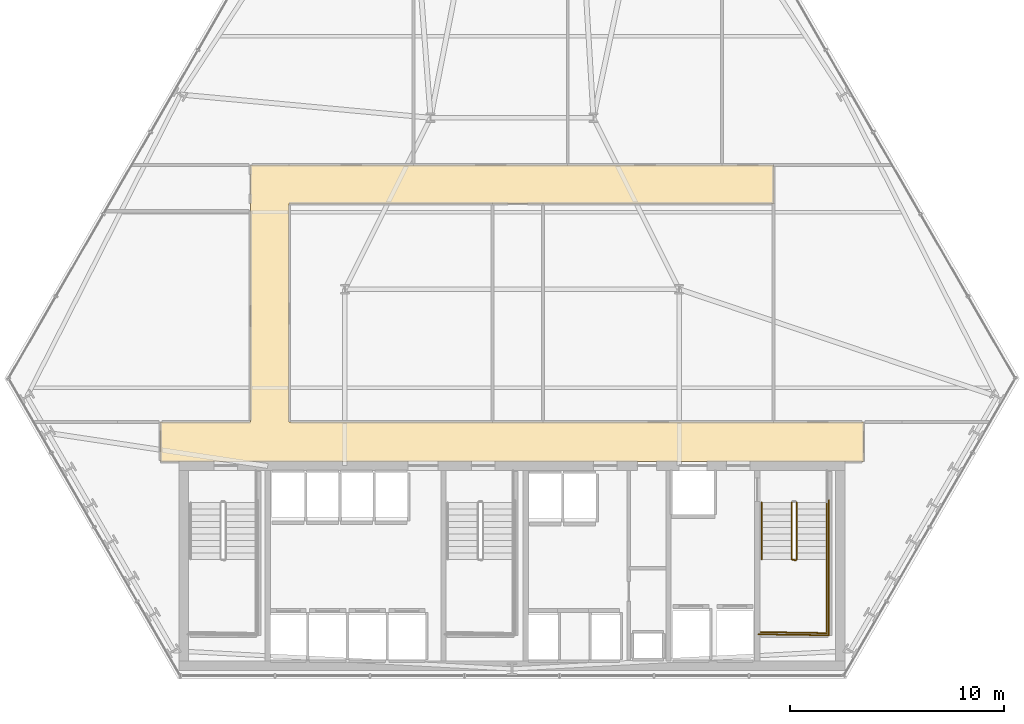
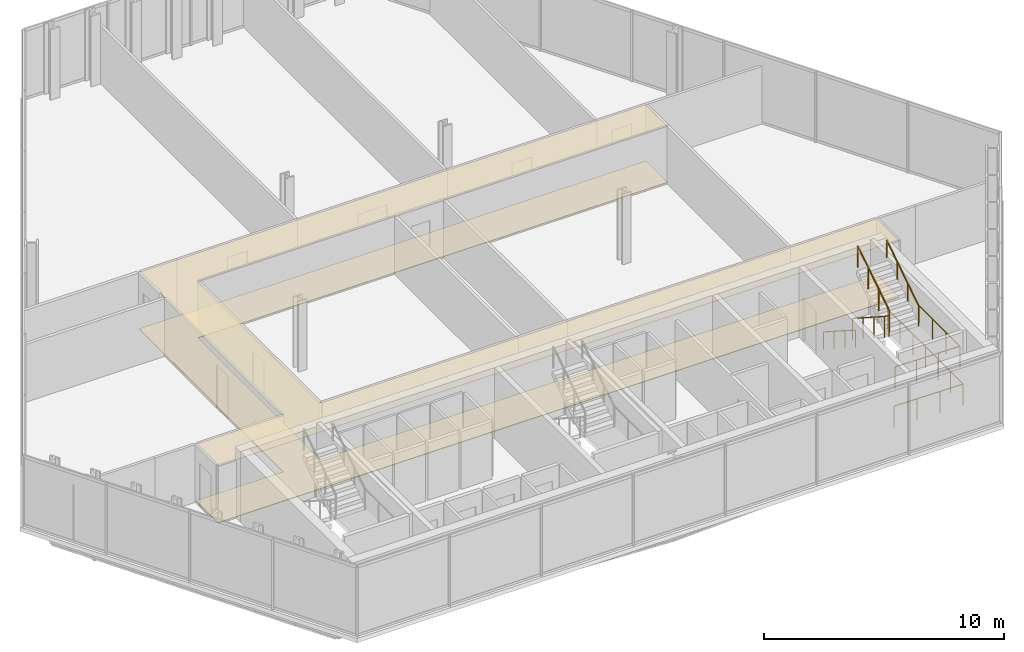
# One storey, part 31 of 32: 6 railings, 2 coverings.
"""IFC4 building model written with IfcOpenShell, lengths in metres."""

from ifc_helpers import new_model, si_unit, direction, frame, origin, origin_2d, place, context, subcontext, project, spatial, polyline, circle, outline, extrude, material, layer, layer_set, type_object, element, save


model = new_model("IFC4")

# Units and contexts
model_context = context("Model", 3, precision=1e-05, world=origin(), true_north=direction((0.0, 1.0)))
body_context = subcontext(model_context, "Body", "Model", "MODEL_VIEW")
ifc_project = project(units=[si_unit("LENGTHUNIT", "METRE"), si_unit("AREAUNIT", "SQUARE_METRE"), si_unit("VOLUMEUNIT", "CUBIC_METRE"), si_unit("PLANEANGLEUNIT", "RADIAN"), si_unit("MASSUNIT", "GRAM", prefix="KILO")], contexts=[model_context])

# Site, building, storey
site_placement = place(None, origin())
site = spatial("IfcSite", under=ifc_project, at=site_placement, CompositionType="ELEMENT")
building_placement = place(site_placement, origin())
building = spatial("IfcBuilding", under=site, at=building_placement, Name="Ndaravel Arena Tower", CompositionType="ELEMENT")
storey_placement = place(building_placement, frame((0.0, 0.0, 51.199951171875)))
storey = spatial("IfcBuildingStorey", under=building, at=storey_placement, Name="L10", CompositionType="ELEMENT", Elevation=51.199951171875)

# Coverings
ifc_material_1 = material(Name="Acoustic Ceiling Tile", Category="finish")
ifc_layer_1 = layer(ifc_material_1, 0.02490234375)
ifc_layer_set_1 = layer_set([ifc_layer_1], Name="Acoustic Ceiling Tile")
covering_type_1 = type_object("IfcCoveringType", Name="COV-CEIL-AC600", PredefinedType="CEILING", material=ifc_layer_set_1)
covering_1_placement = place(storey_placement, frame((0.0, 0.0, 2.90283203125)))
element("IfcCovering", 1, at=covering_1_placement, inside=storey, type_object=covering_type_1, Name="L10 Corridor Acoustic Ceiling", PredefinedType="CEILING", context=body_context, shape_type="SweptSolid", body=[
    extrude(outline(polyline([(58.39990234375, 17.0), (31.60009765625, 17.0), (31.60009765625, 27.199951171875), (54.199951171875, 27.199951171875), (54.199951171875, 29.0), (31.60009765625, 29.0), (29.800048828125, 29.0), (29.800048828125, 27.199951171875), (29.800048828125, 17.0), (25.60009765625, 17.0), (25.60009765625, 15.14990234375), (58.39990234375, 15.14990234375), (58.39990234375, 17.0)])), origin(), (0.0, 0.0, 1.0), 0.02490234375),
])
ifc_material_2 = material(Name="Terrazzo", Category="stone")
ifc_layer_2 = layer(ifc_material_2, 0.030029296875)
ifc_layer_set_2 = layer_set([ifc_layer_2], Name="Terrazzo")
covering_type_2 = type_object("IfcCoveringType", Name="COV-FLOOR-TERRAZZO", PredefinedType="FLOORING", material=ifc_layer_set_2)
covering_2_placement = place(storey_placement, origin())
element("IfcCovering", 2, at=covering_2_placement, inside=storey, type_object=covering_type_2, Name="L10 Corridor Terrazzo Flooring", PredefinedType="FLOORING", context=body_context, shape_type="SweptSolid", body=[
    extrude(outline(polyline([(58.39990234375, 17.0), (31.60009765625, 17.0), (31.60009765625, 27.199951171875), (54.199951171875, 27.199951171875), (54.199951171875, 29.0), (31.60009765625, 29.0), (29.800048828125, 29.0), (29.800048828125, 27.199951171875), (29.800048828125, 17.0), (25.60009765625, 17.0), (25.60009765625, 15.14990234375), (58.39990234375, 15.14990234375), (58.39990234375, 17.0)])), origin(), (0.0, 0.0, 1.0), 0.030029296875),
])

# Railings
ifc_material_3 = material(Name="Steel S355", Category="steel")
ifc_layer_3 = layer(ifc_material_3, 0.06005859375)
ifc_layer_set_3 = layer_set([ifc_layer_3], Name="Steel S355")
railing_type_1 = type_object("IfcRailingType", Name="RAIL-STAIR-GD1100", PredefinedType="GUARDRAIL", material=ifc_layer_set_3)
railing_1_placement = place(storey_placement, frame((55.050048828125, 13.25, 0.18994140625)))
element("IfcRailing", 3, at=railing_1_placement, inside=storey, type_object=railing_type_1, Name="L10 ST-3 stair guard 1", PredefinedType="GUARDRAIL", context=body_context, shape_type="SweptSolid", body=[
    extrude(circle(Radius=0.02392578125, at=origin_2d()), frame((0.0, 0.0, 1.076171875), z_axis=(0.0, -0.840688348013, 0.541519253134), x_axis=(1.0, 0.0, 0.0)), (0.0, 0.0, 1.0), 3.158203125),
    extrude(circle(Radius=0.02392578125, at=origin_2d()), frame((0.0, -2.655029296875, 2.7861328125), z_axis=(0.966993988697, -0.254799187253, 0.0), x_axis=(0.254799187253, 0.966993988697, 0.0)), (0.0, 0.0, 1.0), 0.196533203125),
    extrude(circle(Radius=0.02099609375, at=origin_2d()), origin(), (0.0, 0.0, 1.0), 1.052001953125),
    extrude(circle(Radius=0.02099609375, at=origin_2d()), frame((0.0, -0.885009765625, 0.570068359375)), (0.0, 0.0, 1.0), 1.052001953125),
    extrude(circle(Radius=0.02099609375, at=origin_2d()), frame((0.0, -1.77001953125, 1.14013671875)), (0.0, 0.0, 1.0), 1.052001953125),
    extrude(circle(Radius=0.02099609375, at=origin_2d()), frame((0.0, -2.655029296875, 1.710205078125)), (0.0, 0.0, 1.0), 1.052001953125),
    extrude(circle(Radius=0.02099609375, at=origin_2d()), frame((0.18994140625, -2.705078125, 1.710205078125)), (0.0, 0.0, 1.0), 1.052001953125),
])
railing_2_placement = place(storey_placement, frame((56.68994140625, 10.594970703125, 1.900146484375)))
element("IfcRailing", 4, at=railing_2_placement, inside=storey, type_object=railing_type_1, Name="L10 ST-3 stair guard 2", PredefinedType="GUARDRAIL", context=body_context, shape_type="SweptSolid", body=[
    extrude(circle(Radius=0.02392578125, at=origin_2d()), frame((0.0, 0.0, 1.076171875), z_axis=(0.0, -1.0, 0.0), x_axis=(1.0, 0.0, 0.0)), (0.0, 0.0, 1.0), 3.445068359375),
    extrude(circle(Radius=0.02392578125, at=origin_2d()), frame((0.0, -3.445068359375, 1.076171875), z_axis=(-0.999868840623, 0.016195726322, 0.0), x_axis=(-0.016195726322, -0.999868840623, 0.0)), (0.0, 0.0, 1.0), 3.09033203125),
    extrude(circle(Radius=0.02099609375, at=origin_2d()), origin(), (0.0, 0.0, 1.0), 1.052001953125),
    extrude(circle(Radius=0.02099609375, at=origin_2d()), frame((0.0, -1.1484375, 0.0)), (0.0, 0.0, 1.0), 1.052001953125),
    extrude(circle(Radius=0.02099609375, at=origin_2d()), frame((0.0, -2.296630859375, 0.0)), (0.0, 0.0, 1.0), 1.052001953125),
    extrude(circle(Radius=0.02099609375, at=origin_2d()), frame((0.0, -3.445068359375, 0.0)), (0.0, 0.0, 1.0), 1.052001953125),
    extrude(circle(Radius=0.02099609375, at=origin_2d()), frame((-1.030029296875, -3.428466796875, 0.0)), (0.0, 0.0, 1.0), 1.052001953125),
    extrude(circle(Radius=0.02099609375, at=origin_2d()), frame((-2.059814453125, -3.41162109375, 0.0)), (0.0, 0.0, 1.0), 1.052001953125),
    extrude(circle(Radius=0.02099609375, at=origin_2d()), frame((-3.08984375, -3.39501953125, 0.0)), (0.0, 0.0, 1.0), 1.052001953125),
])
railing_3_placement = place(storey_placement, frame((55.2900390625, 10.594970703125, 2.090087890625)))
element("IfcRailing", 5, at=railing_3_placement, inside=storey, type_object=railing_type_1, Name="L10 ST-3 stair guard 3", PredefinedType="GUARDRAIL", context=body_context, shape_type="SweptSolid", body=[
    extrude(circle(Radius=0.02392578125, at=origin_2d()), frame((0.0, 0.0, 1.076171875), z_axis=(0.0, 0.840723540582, 0.54146461409), x_axis=(-1.0, 0.0, 0.0)), (0.0, 0.0, 1.0), 3.157958984375),
    extrude(circle(Radius=0.02099609375, at=origin_2d()), origin(), (0.0, 0.0, 1.0), 1.052001953125),
    extrude(circle(Radius=0.02099609375, at=origin_2d()), frame((0.0, 0.885009765625, 0.570068359375)), (0.0, 0.0, 1.0), 1.052001953125),
    extrude(circle(Radius=0.02099609375, at=origin_2d()), frame((0.0, 1.77001953125, 1.139892578125)), (0.0, 0.0, 1.0), 1.052001953125),
    extrude(circle(Radius=0.02099609375, at=origin_2d()), frame((0.0, 2.655029296875, 1.7099609375)), (0.0, 0.0, 1.0), 1.052001953125),
])
railing_4_placement = place(storey_placement, frame((56.7900390625, 13.35009765625, 0.0)))
element("IfcRailing", 6, at=railing_4_placement, inside=storey, type_object=railing_type_1, Name="L10 ST-3 stair guard 6", PredefinedType="GUARDRAIL", context=body_context, shape_type="SweptSolid", body=[
    extrude(circle(Radius=0.02392578125, at=origin_2d()), frame((0.0, 0.0, 1.076171875), z_axis=(0.0, -1.0, 0.0), x_axis=(1.0, 0.0, 0.0)), (0.0, 0.0, 1.0), 6.300048828125),
    extrude(circle(Radius=0.02392578125, at=origin_2d()), frame((0.0, -6.300048828125, 1.076171875), z_axis=(-0.99988431412, 0.015210469308, 0.0), x_axis=(-0.015210469308, -0.99988431412, 0.0)), (0.0, 0.0, 1.0), 3.29052734375),
    extrude(circle(Radius=0.02099609375, at=origin_2d()), origin(), (0.0, 0.0, 1.0), 1.052001953125),
    extrude(circle(Radius=0.02099609375, at=origin_2d()), frame((0.0, -1.050048828125, 0.0)), (0.0, 0.0, 1.0), 1.052001953125),
    extrude(circle(Radius=0.02099609375, at=origin_2d()), frame((0.0, -2.10009765625, 0.0)), (0.0, 0.0, 1.0), 1.052001953125),
    extrude(circle(Radius=0.02099609375, at=origin_2d()), frame((0.0, -3.14990234375, 0.0)), (0.0, 0.0, 1.0), 1.052001953125),
    extrude(circle(Radius=0.02099609375, at=origin_2d()), frame((0.0, -4.199951171875, 0.0)), (0.0, 0.0, 1.0), 1.052001953125),
    extrude(circle(Radius=0.02099609375, at=origin_2d()), frame((0.0, -5.25, 0.0)), (0.0, 0.0, 1.0), 1.052001953125),
    extrude(circle(Radius=0.02099609375, at=origin_2d()), frame((0.0, -6.300048828125, 0.0)), (0.0, 0.0, 1.0), 1.052001953125),
    extrude(circle(Radius=0.02099609375, at=origin_2d()), frame((-1.0966796875, -6.283447265625, 0.0)), (0.0, 0.0, 1.0), 1.052001953125),
    extrude(circle(Radius=0.02099609375, at=origin_2d()), frame((-2.193359375, -6.2666015625, 0.0)), (0.0, 0.0, 1.0), 1.052001953125),
    extrude(circle(Radius=0.02099609375, at=origin_2d()), frame((-3.2900390625, -6.25, 0.0)), (0.0, 0.0, 1.0), 1.052001953125),
])
ifc_material_4 = material(Name="Steel S355", Category="steel")
ifc_layer_4 = layer(ifc_material_4, 0.050048828125)
ifc_layer_set_4 = layer_set([ifc_layer_4], Name="Steel S355")
railing_type_2 = type_object("IfcRailingType", Name="RAIL-STAIR-HR920", PredefinedType="HANDRAIL", material=ifc_layer_set_4)
railing_5_placement = place(storey_placement, frame((53.64990234375, 13.25, 0.18994140625)))
element("IfcRailing", 7, at=railing_5_placement, inside=storey, type_object=railing_type_2, Name="L10 ST-3 stair handrail 1", PredefinedType="HANDRAIL", context=body_context, shape_type="SweptSolid", body=[
    extrude(circle(Radius=0.02392578125, at=origin_2d()), frame((0.0, 0.0, 0.8759765625), z_axis=(0.0, -0.840688348013, 0.541519253134), x_axis=(1.0, 0.0, 0.0)), (0.0, 0.0, 1.0), 3.158203125),
    extrude(circle(Radius=0.02099609375, at=origin_2d()), origin(), (0.0, 0.0, 1.0), 0.851806640625),
    extrude(circle(Radius=0.02099609375, at=origin_2d()), frame((0.0, -0.885009765625, 0.570068359375)), (0.0, 0.0, 1.0), 0.851806640625),
    extrude(circle(Radius=0.02099609375, at=origin_2d()), frame((0.0, -1.77001953125, 1.14013671875)), (0.0, 0.0, 1.0), 0.851806640625),
    extrude(circle(Radius=0.02099609375, at=origin_2d()), frame((0.0, -2.655029296875, 1.710205078125)), (0.0, 0.0, 1.0), 0.851806640625),
])
railing_6_placement = place(storey_placement, frame((56.68994140625, 10.594970703125, 2.090087890625)))
element("IfcRailing", 8, at=railing_6_placement, inside=storey, type_object=railing_type_2, Name="L10 ST-3 stair handrail 2", PredefinedType="HANDRAIL", context=body_context, shape_type="SweptSolid", body=[
    extrude(circle(Radius=0.02392578125, at=origin_2d()), frame((0.0, 0.0, 0.8759765625), z_axis=(0.0, 0.840723540582, 0.54146461409), x_axis=(-1.0, 0.0, 0.0)), (0.0, 0.0, 1.0), 3.157958984375),
    extrude(circle(Radius=0.02099609375, at=origin_2d()), origin(), (0.0, 0.0, 1.0), 0.851806640625),
    extrude(circle(Radius=0.02099609375, at=origin_2d()), frame((0.0, 0.885009765625, 0.570068359375)), (0.0, 0.0, 1.0), 0.851806640625),
    extrude(circle(Radius=0.02099609375, at=origin_2d()), frame((0.0, 1.77001953125, 1.139892578125)), (0.0, 0.0, 1.0), 0.851806640625),
    extrude(circle(Radius=0.02099609375, at=origin_2d()), frame((0.0, 2.655029296875, 1.7099609375)), (0.0, 0.0, 1.0), 0.851806640625),
])

save(model, "model.ifc")
